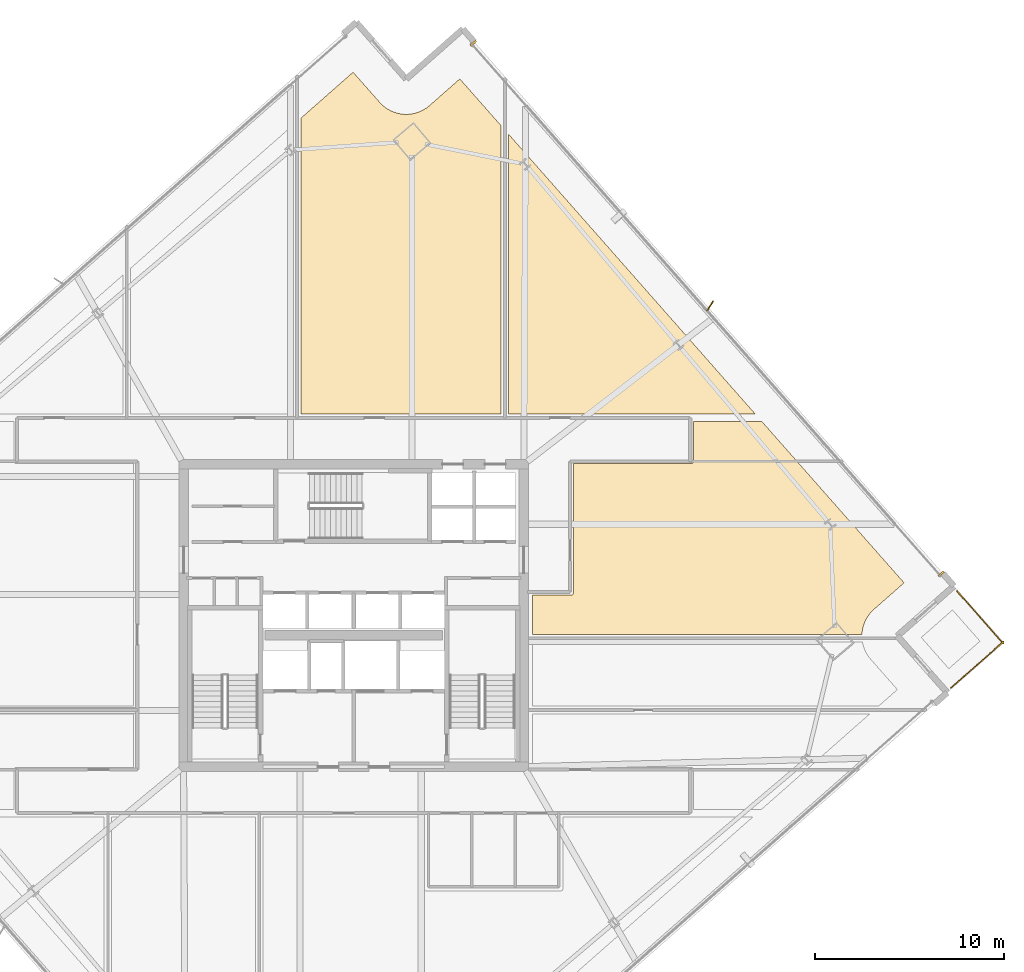
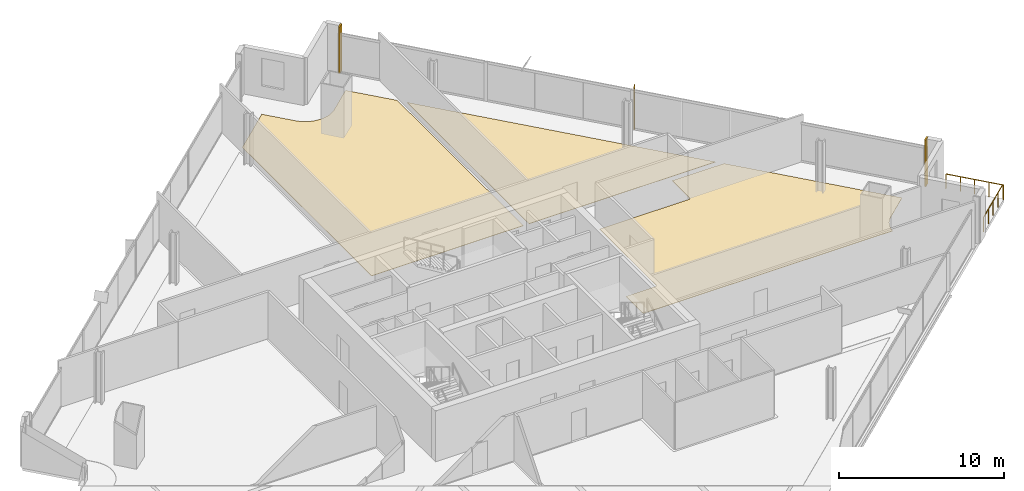
# One storey, part 34 of 34: 5 coverings, 2 railings, 1 shading device.
"""IFC4 building model written with IfcOpenShell, lengths in metres."""

from ifc_helpers import new_model, si_unit, direction, frame, origin, origin_2d, place, context, subcontext, project, spatial, polyline, rectangle, outline, extrude, source, transform, mapped, material, layer, layer_set, type_object, element, save


model = new_model("IFC4")

# Units and contexts
model_context = context("Model", 3, precision=1e-05, world=origin(), true_north=direction((0.0, 1.0)))
body_context = subcontext(model_context, "Body", "Model", "MODEL_VIEW")
ifc_project = project(units=[si_unit("LENGTHUNIT", "METRE"), si_unit("AREAUNIT", "SQUARE_METRE"), si_unit("VOLUMEUNIT", "CUBIC_METRE"), si_unit("PLANEANGLEUNIT", "RADIAN"), si_unit("MASSUNIT", "GRAM", prefix="KILO")], contexts=[model_context])

# Site, building, storey
site_placement = place(None, origin())
site = spatial("IfcSite", under=ifc_project, at=site_placement, CompositionType="ELEMENT")
building_placement = place(site_placement, origin())
building = spatial("IfcBuilding", under=site, at=building_placement, Name="Haldenkirk Collegiate Tower", CompositionType="ELEMENT")
storey_placement = place(building_placement, frame((0.0, 0.0, 166.949951171875)))
storey = spatial("IfcBuildingStorey", under=building, at=storey_placement, Name="L41", CompositionType="ELEMENT", Elevation=166.949951171875)

# Coverings
ifc_material_1 = material(Name="Polished collegiate terrazzo", Category="concrete")
ifc_layer_1 = layer(ifc_material_1, 0.02490234375)
ifc_layer_set_1 = layer_set([ifc_layer_1], Name="Polished collegiate terrazzo")
covering_type_1 = type_object("IfcCoveringType", Name="COV-FLOOR-TERRAZZO", PredefinedType="FLOORING", material=ifc_layer_set_1)
covering_1_placement = place(storey_placement, origin())
element("IfcCovering", 1, at=covering_1_placement, inside=storey, type_object=covering_type_1, Name="L41 academic room finish 06", PredefinedType="FLOORING", context=body_context, shape_type="SweptSolid", body=[
    extrude(outline(polyline([(37.37451171875, 53.141357421875), (37.378662109375, 53.136962890625), (37.498291015625, 53.013916015625), (37.5068359375, 53.005859375), (37.63818359375, 52.895263671875), (37.647705078125, 52.88818359375), (37.7890625, 52.790771484375), (37.799072265625, 52.784423828125), (37.949462890625, 52.701416015625), (37.9599609375, 52.6962890625), (38.11767578125, 52.62841796875), (38.128662109375, 52.624267578125), (38.29248046875, 52.572265625), (38.3037109375, 52.569091796875), (38.4716796875, 52.533203125), (38.4833984375, 52.53125), (38.654052734375, 52.51220703125), (38.665771484375, 52.511474609375), (38.83740234375, 52.509033203125), (38.84912109375, 52.509521484375), (39.0205078125, 52.52392578125), (39.031982421875, 52.525634765625), (39.200927734375, 52.556884765625), (39.21240234375, 52.5595703125), (39.37744140625, 52.607177734375), (39.388671875, 52.61083984375), (39.548095703125, 52.67431640625), (39.558837890625, 52.67919921875), (39.71142578125, 52.75830078125), (39.7216796875, 52.76416015625), (39.86572265625, 52.857421875), (39.875244140625, 52.864501953125), (40.009521484375, 52.971435546875), (40.013916015625, 52.975341796875), (41.611572265625, 54.3837890625), (43.800048828125, 51.90185546875), (43.800048828125, 36.64990234375), (33.199951171875, 36.64990234375), (33.199951171875, 52.300537109375), (35.966064453125, 54.739013671875), (37.37451171875, 53.141357421875)])), origin(), (0.0, 0.0, 1.0), 0.025146484375),
])
covering_2_placement = place(storey_placement, origin())
element("IfcCovering", 2, at=covering_2_placement, inside=storey, type_object=covering_type_1, Name="L41 academic room finish 12", PredefinedType="FLOORING", context=body_context, shape_type="SweptSolid", body=[
    extrude(outline(polyline([(63.513671875, 26.320068359375), (63.50927734375, 26.316162109375), (63.38623046875, 26.1962890625), (63.378173828125, 26.187744140625), (63.267578125, 26.056396484375), (63.260498046875, 26.047119140625), (63.1630859375, 25.905517578125), (63.15673828125, 25.8955078125), (63.07373046875, 25.745361328125), (63.068603515625, 25.73486328125), (63.000732421875, 25.5771484375), (62.99658203125, 25.56591796875), (62.944580078125, 25.40234375), (62.94140625, 25.39111328125), (62.905517578125, 25.22314453125), (62.903564453125, 25.211181640625), (62.884521484375, 25.04052734375), (62.8837890625, 25.029052734375), (62.88330078125, 25.0), (45.449951171875, 25.0), (45.449951171875, 27.080078125), (47.5, 27.080078125), (47.51171875, 27.08056640625), (47.5234375, 27.082275390625), (47.534912109375, 27.085205078125), (47.5458984375, 27.089111328125), (47.556640625, 27.09423828125), (47.566650390625, 27.10009765625), (47.576171875, 27.107177734375), (47.5849609375, 27.114990234375), (47.5927734375, 27.123779296875), (47.599853515625, 27.13330078125), (47.605712890625, 27.143310546875), (47.61083984375, 27.154052734375), (47.61474609375, 27.165283203125), (47.61767578125, 27.176513671875), (47.619384765625, 27.188232421875), (47.6201171875, 27.199951171875), (47.6201171875, 34.030029296875), (53.85009765625, 34.030029296875), (53.86181640625, 34.030517578125), (53.873291015625, 34.0322265625), (53.884765625, 34.03515625), (53.89599609375, 34.0390625), (53.906494140625, 34.044189453125), (53.916748046875, 34.05029296875), (53.926025390625, 34.05712890625), (53.934814453125, 34.065185546875), (53.94287109375, 34.073974609375), (53.94970703125, 34.083251953125), (53.955810546875, 34.093505859375), (53.9609375, 34.10400390625), (53.96484375, 34.115234375), (53.9677734375, 34.126708984375), (53.969482421875, 34.13818359375), (53.969970703125, 34.14990234375), (53.969970703125, 36.25), (57.598876953125, 36.25), (65.111328125, 27.728759765625), (63.513671875, 26.320068359375)])), origin(), (0.0, 0.0, 1.0), 0.025146484375),
])
ifc_material_2 = material(Name="Engineered collegiate oak acoustic flooring", Category="wood")
ifc_layer_2 = layer(ifc_material_2, 0.02197265625)
ifc_layer_set_2 = layer_set([ifc_layer_2], Name="Engineered collegiate oak acoustic flooring")
covering_type_2 = type_object("IfcCoveringType", Name="COV-FLOOR-TIMBER", PredefinedType="FLOORING", material=ifc_layer_set_2)
covering_3_placement = place(storey_placement, origin())
element("IfcCovering", 3, at=covering_3_placement, inside=storey, type_object=covering_type_2, Name="L41 academic room finish 07", PredefinedType="FLOORING", context=body_context, shape_type="SweptSolid", body=[
    extrude(outline(polyline([(57.24609375, 36.64990234375), (44.199951171875, 36.64990234375), (44.199951171875, 51.447998046875), (57.24609375, 36.64990234375)])), origin(), (0.0, 0.0, 1.0), 0.02197265625),
])

# Railings
ifc_material_3 = material(Name="Anodised architectural bronze aluminium", Category="aluminium")
railing_type = type_object("IfcRailingType", Name="RLG-TERR-BALUSTRADE-1100", PredefinedType="BALUSTRADE", material=ifc_material_3)
railing_1_placement = place(storey_placement, frame((67.595947265625, 22.173583984375, 0.0)))
element("IfcRailing", 4, at=railing_1_placement, inside=storey, type_object=railing_type, Name="L41 terrace guard balustrade 1-1", PredefinedType="BALUSTRADE", context=body_context, shape_type="SweptSolid", body=[
    extrude(rectangle(XDim=0.048095703125, YDim=0.048095703125, at=origin_2d()), frame((0.0, 0.0, 1.076171875), z_axis=(0.750097240456, 0.661327551112, 0.0), x_axis=(-0.661327551112, 0.750097240456, 0.0)), (0.0, 0.0, 1.0), 3.679931640625),
    extrude(rectangle(XDim=0.0419921875, YDim=0.0419921875, at=origin_2d()), origin(), (0.0, 0.0, 1.0), 1.052001953125),
    extrude(rectangle(XDim=0.0419921875, YDim=0.0419921875, at=origin_2d()), frame((0.68994140625, 0.6083984375, 0.0)), (0.0, 0.0, 1.0), 1.052001953125),
    extrude(rectangle(XDim=0.0419921875, YDim=0.0419921875, at=origin_2d()), frame((1.380126953125, 1.216796875, 0.0)), (0.0, 0.0, 1.0), 1.052001953125),
    extrude(rectangle(XDim=0.0419921875, YDim=0.0419921875, at=origin_2d()), frame((2.0703125, 1.8251953125, 0.0)), (0.0, 0.0, 1.0), 1.052001953125),
    extrude(rectangle(XDim=0.0419921875, YDim=0.0419921875, at=origin_2d()), frame((2.76025390625, 2.43359375, 0.0)), (0.0, 0.0, 1.0), 1.052001953125),
])
railing_2_placement = place(storey_placement, frame((70.35107421875, 24.5224609375, 0.0)))
element("IfcRailing", 5, at=railing_2_placement, inside=storey, type_object=railing_type, Name="L41 terrace guard balustrade 2-1", PredefinedType="BALUSTRADE", context=body_context, shape_type="SweptSolid", body=[
    extrude(rectangle(XDim=0.048095703125, YDim=0.048095703125, at=origin_2d()), frame((0.0, 0.0, 1.076171875), z_axis=(-0.661294640985, 0.750126254576, 0.0), x_axis=(-0.750126254576, -0.661294640985, 0.0)), (0.0, 0.0, 1.0), 3.679931640625),
    extrude(rectangle(XDim=0.0419921875, YDim=0.0419921875, at=origin_2d()), origin(), (0.0, 0.0, 1.0), 1.052001953125),
    extrude(rectangle(XDim=0.0419921875, YDim=0.0419921875, at=origin_2d()), frame((-0.6083984375, 0.690185546875, 0.0)), (0.0, 0.0, 1.0), 1.052001953125),
    extrude(rectangle(XDim=0.0419921875, YDim=0.0419921875, at=origin_2d()), frame((-1.216796875, 1.38037109375, 0.0)), (0.0, 0.0, 1.0), 1.052001953125),
    extrude(rectangle(XDim=0.0419921875, YDim=0.0419921875, at=origin_2d()), frame((-1.8251953125, 2.0703125, 0.0)), (0.0, 0.0, 1.0), 1.052001953125),
    extrude(rectangle(XDim=0.0419921875, YDim=0.0419921875, at=origin_2d()), frame((-2.43359375, 2.760498046875, 0.0)), (0.0, 0.0, 1.0), 1.052001953125),
])

# Coverings
ifc_layer_3 = layer(ifc_material_3, 0.06005859375)
ifc_layer_set_3 = layer_set([ifc_layer_3], Name="Anodised architectural bronze aluminium")
covering_type_3 = type_object("IfcCoveringType", Name="COV-CLAD-BRONZE-60", PredefinedType="CLADDING", material=ifc_layer_set_3)
shared_shape_1 = source(origin(), body_context, "Body", "SweptSolid", [
    extrude(rectangle(XDim=0.10009765625, YDim=0.3798828125, at=origin_2d()), origin(), (0.0, 0.0, 1.0), 3.4599609375),
])
for number, where, z_axis, x_axis, name in (
    (6, (42.3251953125, 56.26611328125, 0.0), (0.0, 0.0, 1.0), (0.661311865324, -0.75011106963, 0.0), "L41 recessed curtain-wall bronze jamb closure EJL"),
    (7, (67.068359375, 28.20068359375, 0.0), (0.0, 0.0, 1.0), (0.661311865324, -0.75011106963, 0.0), "L41 recessed curtain-wall bronze jamb closure EJR"),
):
    element("IfcCovering", number, at=place(storey_placement, frame(where, z_axis=z_axis, x_axis=x_axis)), inside=storey, type_object=covering_type_3, Name=name, PredefinedType="CLADDING", context=body_context, shape_type="MappedRepresentation", body=[
        mapped(shared_shape_1, transform((0.0, 0.0, 0.0), x_axis=(1.0, 0.0, 0.0), y_axis=(0.0, 1.0, 0.0), z_axis=(0.0, 0.0, 1.0), scale=1.0)),
    ])

# Shading device
ifc_layer_4 = layer(ifc_material_3, 0.06494140625)
ifc_layer_set_4 = layer_set([ifc_layer_4], Name="Anodised architectural bronze aluminium")
shading_device_type = type_object("IfcShadingDeviceType", Name="SHD-FIN-BRONZE-620", PredefinedType="USERDEFINED", material=ifc_layer_set_4)
shared_shape_2 = source(origin(), body_context, "Body", "SweptSolid", [
    extrude(rectangle(XDim=0.6201171875, YDim=0.06494140625, at=origin_2d()), origin(), (0.0, 0.0, 1.0), 2.910888671875),
])
shading_device_placement = place(storey_placement, frame((54.8505859375, 42.368896484375, 0.0), z_axis=(0.0, 0.0, 1.0), x_axis=(0.538770785007, 0.842452397007, 0.0)))
element("IfcShadingDevice", 8, at=shading_device_placement, inside=storey, type_object=shading_device_type, Name="L41 folded bronze solar fin 1", ObjectType="FIN", PredefinedType="USERDEFINED", context=body_context, shape_type="MappedRepresentation", body=[
    mapped(shared_shape_2, transform((0.0, 0.0, 0.0), x_axis=(1.0, 0.0, 0.0), y_axis=(0.0, 1.0, 0.0), z_axis=(0.0, 0.0, 1.0), scale=1.0)),
])

save(model, "model.ifc")
